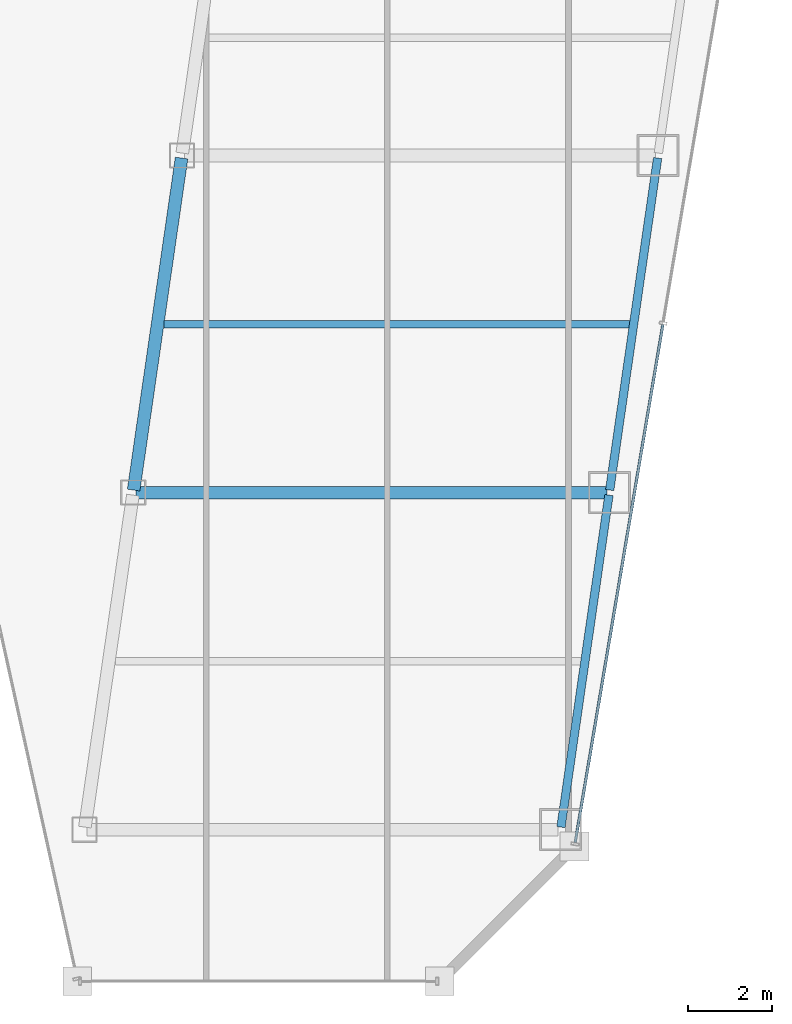
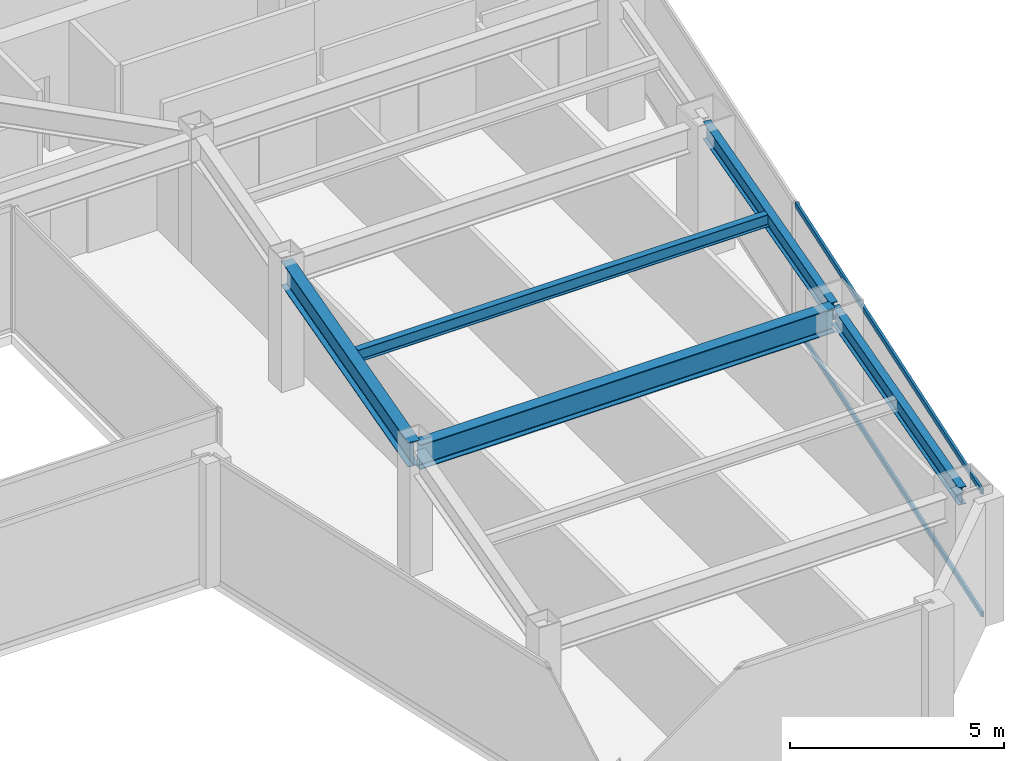
# One storey, part 17 of 36: 5 beams, 2 members, 1 element without a shape of its own.
"""IFC4 building model written with IfcOpenShell, lengths in metres."""

from ifc_helpers import new_model, si_unit, direction, frame, origin, origin_2d, place, context, subcontext, project, spatial, hollow_rectangle, i_section, extrude, material, material_profile, profile_set, type_object, element, aggregate, save


model = new_model("IFC4")

# Units and contexts
model_context = context("Model", 3, precision=1e-05, world=origin(), true_north=direction((0.0, 1.0)))
body_context = subcontext(model_context, "Body", "Model", "MODEL_VIEW")
ifc_project = project(units=[si_unit("LENGTHUNIT", "METRE"), si_unit("AREAUNIT", "SQUARE_METRE"), si_unit("VOLUMEUNIT", "CUBIC_METRE"), si_unit("PLANEANGLEUNIT", "RADIAN"), si_unit("MASSUNIT", "GRAM", prefix="KILO")], contexts=[model_context])

# Site, building, storey
site_placement = place(None, origin())
site = spatial("IfcSite", under=ifc_project, at=site_placement, CompositionType="ELEMENT")
building_placement = place(site_placement, origin())
building = spatial("IfcBuilding", under=site, at=building_placement, Name="Saevonmaru Cultural Tower", CompositionType="ELEMENT")
storey_placement = place(building_placement, frame((0.0, 0.0, 171.39990234375)))
storey = spatial("IfcBuildingStorey", under=building, at=storey_placement, Name="L38", CompositionType="ELEMENT", Elevation=171.39990234375)

# Beams
ifc_material_1 = material(Name="Steel SM355", Category="steel")
ifc_material_profile_1 = material_profile(ifc_material_1, i_section(OverallWidth=0.300048828125, OverallDepth=0.699951171875, WebThickness=0.012939453125, FlangeThickness=0.02392578125, FilletRadius=0.02587890625, at=origin_2d()), Name="H-700x300x13x24")
ifc_profile_set_1 = profile_set([ifc_material_profile_1], Name="Steel SM355")
beam_type_1 = type_object("IfcBeamType", Name="BM-G-H700", PredefinedType="BEAM", material=ifc_profile_set_1)
beam_1_placement = place(storey_placement, frame((39.236572265625, 24.059326171875, 3.2001953125), z_axis=(0.142902032203, 0.989736838353, 0.0), x_axis=(-0.989736838353, 0.142902032203, 0.0)))
element("IfcBeam", 1, at=beam_1_placement, inside=storey, type_object=beam_type_1, Name="L38 East Atrium Girder 2", PredefinedType="BEAM", context=body_context, shape_type="SweptSolid", body=[
    extrude(i_section(OverallWidth=0.300048828125, OverallDepth=0.699951171875, WebThickness=0.012939453125, FlangeThickness=0.02392578125, FilletRadius=0.02587890625, at=origin_2d()), origin(), (0.0, 0.0, 1.0), 7.963134765625),
])
beam_2_placement = place(storey_placement, frame((39.2880859375, 24.0, 3.2001953125), z_axis=(1.0, 0.0, 0.0), x_axis=(0.0, 1.0, 0.0)))
element("IfcBeam", 2, at=beam_2_placement, inside=storey, type_object=beam_type_1, Name="L38 East Wing Transverse Girder 2", PredefinedType="BEAM", context=body_context, shape_type="SweptSolid", body=[
    extrude(i_section(OverallWidth=0.300048828125, OverallDepth=0.699951171875, WebThickness=0.012939453125, FlangeThickness=0.02392578125, FilletRadius=0.02587890625, at=origin_2d()), origin(), (0.0, 0.0, 1.0), 11.179931640625),
])
ifc_material_profile_2 = material_profile(ifc_material_1, i_section(OverallWidth=0.175048828125, OverallDepth=0.35009765625, WebThickness=0.007080078125, FlangeThickness=0.010986328125, FilletRadius=0.012939453125, at=origin_2d()), Name="H-350x175x7x11")
ifc_profile_set_2 = profile_set([ifc_material_profile_2], Name="Steel SM355")
beam_type_2 = type_object("IfcBeamType", Name="BM-J-H350", PredefinedType="JOIST", material=ifc_profile_set_2)
beam_3_placement = place(storey_placement, frame((39.96337890625, 28.0, 3.375), z_axis=(1.0, 0.0, 0.0), x_axis=(0.0, 1.0, 0.0)))
element("IfcBeam", 3, at=beam_3_placement, inside=storey, type_object=beam_type_2, Name="L38 East Wing Floor Joist 2", PredefinedType="JOIST", context=body_context, shape_type="SweptSolid", body=[
    extrude(i_section(OverallWidth=0.175048828125, OverallDepth=0.35009765625, WebThickness=0.007080078125, FlangeThickness=0.010986328125, FilletRadius=0.012939453125, at=origin_2d()), origin(), (0.0, 0.0, 1.0), 11.08203125),
])
ifc_material_profile_3 = material_profile(ifc_material_1, i_section(OverallWidth=0.199951171875, OverallDepth=0.5, WebThickness=0.010009765625, FlangeThickness=0.01611328125, FilletRadius=0.02001953125, at=origin_2d()), Name="H-500x200x10x16")
ifc_profile_set_3 = profile_set([ifc_material_profile_3], Name="Steel SM355")
beam_type_3 = type_object("IfcBeamType", Name="BM-SP-H500", PredefinedType="SPANDREL", material=ifc_profile_set_3)
for number, where, z_axis, x_axis, name in (
    (4, (49.380615234375, 16.059326171875, 3.300048828125), (0.142992129437, 0.989723825579, 0.0), (-0.989723825579, 0.142992129437, 0.0), "L38 East Splayed Spandrel 1"),
    (5, (50.53662109375, 24.059326171875, 3.300048828125), (0.142871999001, 0.989741174197, 0.0), (-0.989741174197, 0.142871999001, 0.0), "L38 East Splayed Spandrel 2"),
):
    element("IfcBeam", number, at=place(storey_placement, frame(where, z_axis=z_axis, x_axis=x_axis)), inside=storey, type_object=beam_type_3, Name=name, PredefinedType="SPANDREL", context=body_context, shape_type="SweptSolid", body=[
        extrude(i_section(OverallWidth=0.199951171875, OverallDepth=0.5, WebThickness=0.010009765625, FlangeThickness=0.01611328125, FilletRadius=0.02001953125, at=origin_2d()), origin(), (0.0, 0.0, 1.0), 7.963134765625),
    ])

# Curtain wall, members
ifc_material_2 = material(Name="Satin Bronze Anodised Aluminium", Category="aluminium")
curtain_wall_type = type_object("IfcCurtainWallType", Name="CW-TYP-A", PredefinedType="NOTDEFINED", material=ifc_material_2)
curtain_wall_placement = place(storey_placement, origin())
curtain_wall = element("IfcCurtainWall", 6, at=curtain_wall_placement, inside=storey, type_object=curtain_wall_type, Name="L38 Unitised Curtain Wall E8", PredefinedType="NOTDEFINED")
ifc_material_profile_4 = material_profile(ifc_material_2, hollow_rectangle(XDim=0.06494140625, YDim=0.14990234375, WallThickness=0.00390625, at=origin_2d()), Name="ALU-TRAN-150x65x4")
ifc_profile_set_4 = profile_set([ifc_material_profile_4], Name="Satin Bronze Anodised Aluminium")
member_type = type_object("IfcMemberType", Name="TR-CW-150x65", PredefinedType="USERDEFINED", material=ifc_profile_set_4)
member_1_placement = place(storey_placement, frame((49.717529296875, 15.691162109375, 0.03271484375), z_axis=(0.166922129366, 0.985970082065, 0.0), x_axis=(-0.985970082065, 0.166922129366, 0.0)))
member_1 = element("IfcMember", 7, at=member_1_placement, type_object=member_type, Name="CW-TW-L38-E8 transom 1.1", ObjectType="TRANSOM", PredefinedType="USERDEFINED", context=body_context, shape_type="SweptSolid", body=[
    extrude(hollow_rectangle(XDim=0.06494140625, YDim=0.14990234375, WallThickness=0.00390625, at=origin_2d()), origin(), (0.0, 0.0, 1.0), 12.4716796875),
])
member_2_placement = place(storey_placement, frame((49.717529296875, 15.691162109375, 3.517578125), z_axis=(0.166922129366, 0.985970082065, 0.0), x_axis=(-0.985970082065, 0.166922129366, 0.0)))
member_2 = element("IfcMember", 8, at=member_2_placement, type_object=member_type, Name="CW-TW-L38-E8 transom 1.2", ObjectType="TRANSOM", PredefinedType="USERDEFINED", context=body_context, shape_type="SweptSolid", body=[
    extrude(hollow_rectangle(XDim=0.06494140625, YDim=0.14990234375, WallThickness=0.00390625, at=origin_2d()), origin(), (0.0, 0.0, 1.0), 12.4716796875),
])
aggregate(curtain_wall, [member_1, member_2])

save(model, "model.ifc")
